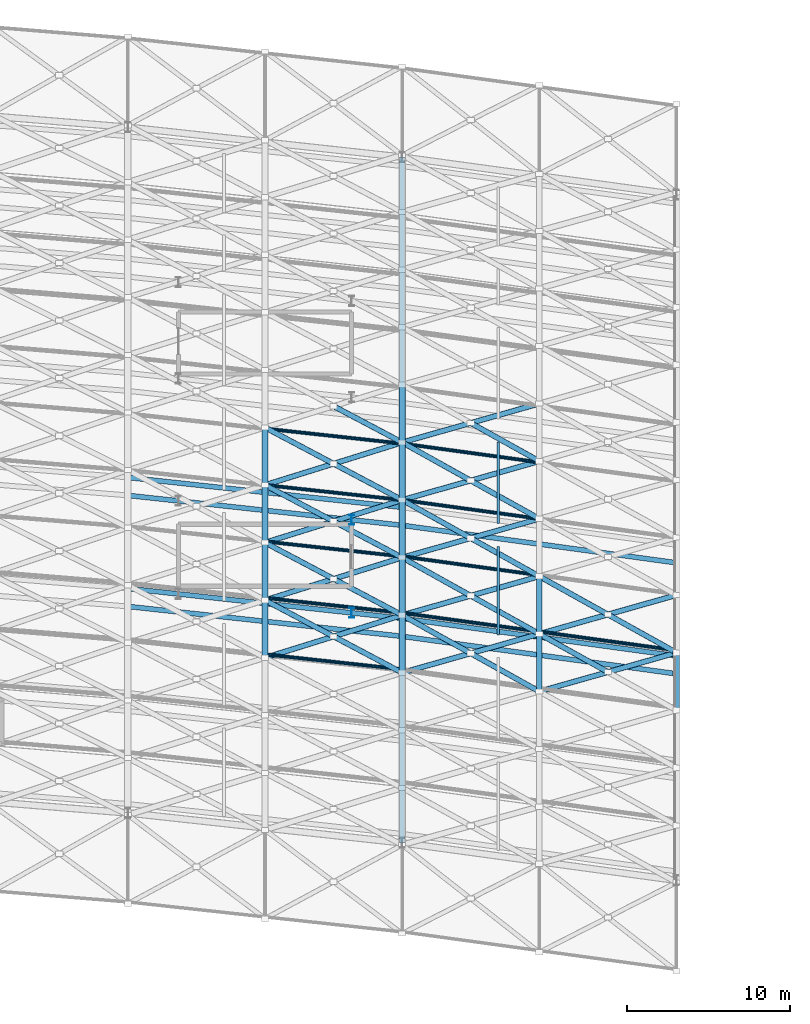
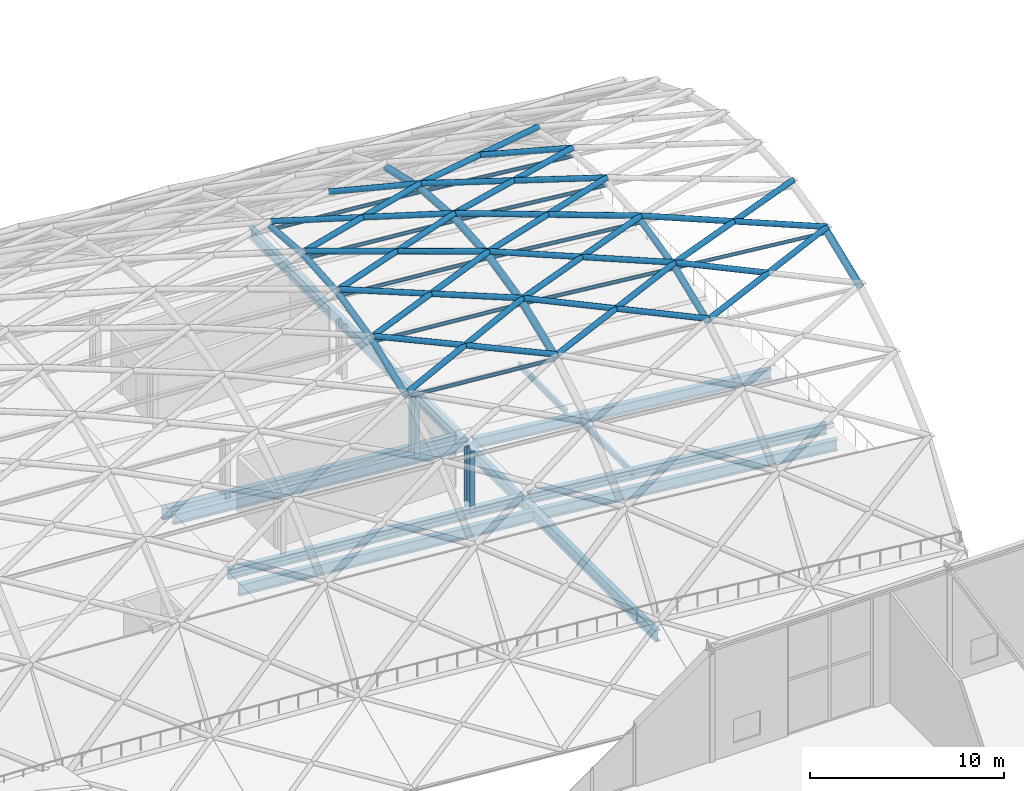
# One storey, part 54 of 100: 56 members, 10 beams.
"""IFC4 building model written with IfcOpenShell, lengths in metres."""

from ifc_helpers import new_model, si_unit, direction, frame, origin, origin_2d, place, context, subcontext, project, spatial, hollow_circle, i_section, extrude, material, material_profile, profile_set, type_object, element, save


model = new_model("IFC4")

# Units and contexts
model_context = context("Model", 3, precision=1e-05, world=origin(), true_north=direction((0.0, 1.0)))
body_context = subcontext(model_context, "Body", "Model", "MODEL_VIEW")
ifc_project = project(units=[si_unit("LENGTHUNIT", "METRE"), si_unit("AREAUNIT", "SQUARE_METRE"), si_unit("VOLUMEUNIT", "CUBIC_METRE"), si_unit("PLANEANGLEUNIT", "RADIAN"), si_unit("MASSUNIT", "GRAM", prefix="KILO")], contexts=[model_context])

# Site, building, storey
site_placement = place(None, origin())
site = spatial("IfcSite", under=ifc_project, at=site_placement, CompositionType="ELEMENT")
building_placement = place(site_placement, origin())
building = spatial("IfcBuilding", under=site, at=building_placement, Name="Kimbaza Rail Terminus", CompositionType="ELEMENT")
storey_placement = place(building_placement, frame((0.0, 0.0, 10.800048828125)))
storey = spatial("IfcBuildingStorey", under=building, at=storey_placement, Name="L02", CompositionType="ELEMENT", Elevation=10.800048828125)

# Beams
ifc_material_1 = material(Name="Steel S355", Category="steel")
ifc_material_profile_1 = material_profile(ifc_material_1, i_section(OverallWidth=0.300048828125, OverallDepth=0.64990234375, WebThickness=0.01611328125, FlangeThickness=0.031005859375, FilletRadius=0.027099609375, at=origin_2d()), Name="HEB 650")
ifc_profile_set_1 = profile_set([ifc_material_profile_1], Name="Steel S355")
beam_type_1 = type_object("IfcBeamType", Name="STR-BM-HEB650", PredefinedType="USERDEFINED", material=ifc_profile_set_1)
for number, where, z_axis, x_axis, name in (
    (1, (172.944091796875, 65.73974609375, -0.5849609375), (0.994106987183, -0.108403404165, 0.0), (0.108403404165, 0.994106987183, 0.0), "Viaduct Chorded Girder P2 Bay 10"),
    (2, (172.944091796875, 71.439697265625, -0.5849609375), (0.994108571086, -0.108388878093, 0.0), (0.108388878093, 0.994108571086, 0.0), "Viaduct Chorded Girder P2 Bay 10"),
):
    element("IfcBeam", number, at=place(storey_placement, frame(where, z_axis=z_axis, x_axis=x_axis)), inside=storey, type_object=beam_type_1, Name=name, ObjectType="GIRDER", PredefinedType="USERDEFINED", context=body_context, shape_type="SweptSolid", body=[
        extrude(i_section(OverallWidth=0.300048828125, OverallDepth=0.64990234375, WebThickness=0.01611328125, FlangeThickness=0.031005859375, FilletRadius=0.027099609375, at=origin_2d()), origin(), (0.0, 0.0, 1.0), 16.609619140625),
    ])
for number, where, z_axis, x_axis, name in (
    (3, (189.74365234375, 63.904052734375, -0.5849609375), (0.990777321611, -0.135500180745, 0.0), (0.135500180745, 0.990777321611, 0.0), "Viaduct Chorded Girder P2 Bay 11"),
    (4, (189.74365234375, 69.60400390625, -0.5849609375), (0.990777321611, -0.135500180745, 0.0), (0.135500180745, 0.990777321611, 0.0), "Viaduct Chorded Girder P2 Bay 11"),
):
    element("IfcBeam", number, at=place(storey_placement, frame(where, z_axis=z_axis, x_axis=x_axis)), inside=storey, type_object=beam_type_1, Name=name, ObjectType="GIRDER", PredefinedType="USERDEFINED", context=body_context, shape_type="SweptSolid", body=[
        extrude(i_section(OverallWidth=0.300048828125, OverallDepth=0.64990234375, WebThickness=0.01611328125, FlangeThickness=0.031005859375, FilletRadius=0.027099609375, at=origin_2d()), origin(), (0.0, 0.0, 1.0), 16.66650390625),
    ])
ifc_material_2 = material(Name="Steel S355", Category="steel")
ifc_material_profile_2 = material_profile(ifc_material_2, i_section(OverallWidth=0.300048828125, OverallDepth=0.699951171875, WebThickness=0.01708984375, FlangeThickness=0.031982421875, FilletRadius=0.027099609375, at=origin_2d()), Name="HEB 700")
ifc_profile_set_2 = profile_set([ifc_material_profile_2], Name="Steel S355")
beam_type_2 = type_object("IfcBeamType", Name="STR-BM-HEB700", PredefinedType="USERDEFINED", material=ifc_profile_set_2)
beam_1_placement = place(storey_placement, frame((189.60009765625, 50.173583984375, -0.920166015625), z_axis=(0.0, 1.0, 0.0), x_axis=(-1.0, 0.0, 0.0)))
element("IfcBeam", 5, at=beam_1_placement, inside=storey, type_object=beam_type_2, Name="Viaduct Pier Crosshead Girder VP-11", ObjectType="GIRDER", PredefinedType="USERDEFINED", context=body_context, shape_type="SweptSolid", body=[
    extrude(i_section(OverallWidth=0.300048828125, OverallDepth=0.699951171875, WebThickness=0.01708984375, FlangeThickness=0.031982421875, FilletRadius=0.027099609375, at=origin_2d()), origin(), (0.0, 0.0, 1.0), 42.0),
])
for number, where, z_axis, x_axis, name in (
    (6, (172.944091796875, 64.6396484375, -0.920166015625), (0.994108571086, -0.108388878093, 0.0), (0.108388878093, 0.994108571086, 0.0), "Viaduct Chorded Girder TR12 Bay 10"),
    (7, (172.944091796875, 72.539794921875, -0.920166015625), (0.994106987183, -0.108403404165, 0.0), (0.108403404165, 0.994106987183, 0.0), "Viaduct Chorded Girder TR34 Bay 10"),
):
    element("IfcBeam", number, at=place(storey_placement, frame(where, z_axis=z_axis, x_axis=x_axis)), inside=storey, type_object=beam_type_2, Name=name, ObjectType="GIRDER", PredefinedType="USERDEFINED", context=body_context, shape_type="SweptSolid", body=[
        extrude(i_section(OverallWidth=0.300048828125, OverallDepth=0.699951171875, WebThickness=0.01708984375, FlangeThickness=0.031982421875, FilletRadius=0.027099609375, at=origin_2d()), origin(), (0.0, 0.0, 1.0), 16.609619140625),
    ])
beam_2_placement = place(storey_placement, frame((189.74365234375, 62.803955078125, -0.920166015625), z_axis=(0.990777321611, -0.135500180745, 0.0), x_axis=(0.135500180745, 0.990777321611, 0.0)))
element("IfcBeam", 8, at=beam_2_placement, inside=storey, type_object=beam_type_2, Name="Viaduct Chorded Girder TR12 Bay 11", ObjectType="GIRDER", PredefinedType="USERDEFINED", context=body_context, shape_type="SweptSolid", body=[
    extrude(i_section(OverallWidth=0.300048828125, OverallDepth=0.699951171875, WebThickness=0.01708984375, FlangeThickness=0.031982421875, FilletRadius=0.027099609375, at=origin_2d()), origin(), (0.0, 0.0, 1.0), 16.66650390625),
])
ifc_material_3 = material(Name="Steel S355", Category="steel")
ifc_material_profile_3 = material_profile(ifc_material_3, i_section(OverallWidth=0.169921875, OverallDepth=0.360107421875, WebThickness=0.008056640625, FlangeThickness=0.0126953125, FilletRadius=0.01806640625, at=origin_2d()), Name="IPE 360")
ifc_profile_set_3 = profile_set([ifc_material_profile_3], Name="Steel S355")
beam_type_3 = type_object("IfcBeamType", Name="STR-BM-IPE360", PredefinedType="JOIST", material=ifc_profile_set_3)
beam_3_placement = place(storey_placement, frame((195.47998046875, 62.919921875, -0.43994140625), z_axis=(0.0, 1.0, 0.0), x_axis=(-1.0, 0.0, 0.0)))
element("IfcBeam", 9, at=beam_3_placement, inside=storey, type_object=beam_type_3, Name="Viaduct Diaphragm P2 Bay 11", PredefinedType="JOIST", context=body_context, shape_type="SweptSolid", body=[
    extrude(i_section(OverallWidth=0.169921875, OverallDepth=0.360107421875, WebThickness=0.008056640625, FlangeThickness=0.0126953125, FilletRadius=0.01806640625, at=origin_2d()), origin(), (0.0, 0.0, 1.0), 5.409912109375),
])
beam_4_placement = place(storey_placement, frame((195.47998046875, 69.7197265625, -0.75), z_axis=(0.0, 1.0, 0.0), x_axis=(-1.0, 0.0, 0.0)))
element("IfcBeam", 10, at=beam_4_placement, inside=storey, type_object=beam_type_3, Name="Viaduct Diaphragm TR34 Bay 11", PredefinedType="JOIST", context=body_context, shape_type="SweptSolid", body=[
    extrude(i_section(OverallWidth=0.169921875, OverallDepth=0.360107421875, WebThickness=0.008056640625, FlangeThickness=0.0126953125, FilletRadius=0.01806640625, at=origin_2d()), origin(), (0.0, 0.0, 1.0), 5.010009765625),
])

# Members
ifc_material_4 = material(Name="White painted steel S355", Category="steel")
ifc_material_profile_4 = material_profile(ifc_material_4, hollow_circle(Radius=0.109619140625, WallThickness=0.008056640625, at=origin_2d()), Name="CHS 219.1x8")
ifc_profile_set_4 = profile_set([ifc_material_profile_4], Name="White painted steel S355")
member_type_1 = type_object("IfcMemberType", Name="STR-MB-CHS219", PredefinedType="PURLIN", material=ifc_profile_set_4)
for number, where, z_axis, x_axis, name in (
    (11, (181.199951171875, 61.718505859375, 10.078857421875), (0.994106819652, -0.108404940487, 0.0), (0.108404940487, 0.994106819652, 0.0), "Vault lattice longitudinal purlin VR-19-VA04"),
    (12, (181.199951171875, 65.175537109375, 11.462158203125), (0.994106819652, -0.108404940487, 0.0), (0.108404940487, 0.994106819652, 0.0), "Vault lattice longitudinal purlin VR-19-VA05"),
    (13, (181.199951171875, 68.632568359375, 12.25244140625), (0.994106819652, -0.108404940487, 0.0), (0.108404940487, 0.994106819652, 0.0), "Vault lattice longitudinal purlin VR-19-VA06"),
    (14, (181.199951171875, 72.089599609375, 12.510009765625), (0.994106819652, -0.108404940487, 0.0), (0.108404940487, 0.994106819652, 0.0), "Vault lattice longitudinal purlin VR-19-VA07"),
    (15, (181.199951171875, 75.546630859375, 12.25244140625), (0.994106819652, -0.108404940487, 0.0), (0.108404940487, 0.994106819652, 0.0), "Vault lattice longitudinal purlin VR-19-VA08"),
):
    element("IfcMember", number, at=place(storey_placement, frame(where, z_axis=z_axis, x_axis=x_axis)), inside=storey, type_object=member_type_1, Name=name, PredefinedType="PURLIN", context=body_context, shape_type="SweptSolid", body=[
        extrude(hollow_circle(Radius=0.109619140625, WallThickness=0.008056640625, at=origin_2d()), origin(), (0.0, 0.0, 1.0), 8.449951171875),
    ])
for number, where, z_axis, x_axis, name in (
    (16, (189.60009765625, 64.259521484375, 11.462158203125), (0.990778928837, -0.135488428186, 0.0), (0.135488428186, 0.990778928837, 0.0), "Vault lattice longitudinal purlin VR-20-VA05"),
    (17, (189.60009765625, 67.716552734375, 12.25244140625), (0.990778928837, -0.135488428186, 0.0), (0.135488428186, 0.990778928837, 0.0), "Vault lattice longitudinal purlin VR-20-VA06"),
    (18, (189.60009765625, 71.173583984375, 12.510009765625), (0.990778928837, -0.135488428186, 0.0), (0.135488428186, 0.990778928837, 0.0), "Vault lattice longitudinal purlin VR-20-VA07"),
    (19, (189.60009765625, 74.630615234375, 12.25244140625), (0.990778928837, -0.135488428186, 0.0), (0.135488428186, 0.990778928837, 0.0), "Vault lattice longitudinal purlin VR-20-VA08"),
    (20, (198.0, 63.11083984375, 11.462158203125), (0.990775062808, -0.135516696087, 0.0), (0.135516696087, 0.990775062808, 0.0), "Vault lattice longitudinal purlin VR-21-VA05"),
):
    element("IfcMember", number, at=place(storey_placement, frame(where, z_axis=z_axis, x_axis=x_axis)), inside=storey, type_object=member_type_1, Name=name, PredefinedType="PURLIN", context=body_context, shape_type="SweptSolid", body=[
        extrude(hollow_circle(Radius=0.109619140625, WallThickness=0.008056640625, at=origin_2d()), origin(), (0.0, 0.0, 1.0), 8.47802734375),
    ])
ifc_material_5 = material(Name="White painted steel S355", Category="steel")
ifc_material_profile_5 = material_profile(ifc_material_5, hollow_circle(Radius=0.161865234375, WallThickness=0.010009765625, at=origin_2d()), Name="CHS 323.9x10")
ifc_profile_set_5 = profile_set([ifc_material_profile_5], Name="White painted steel S355")
member_type_2 = type_object("IfcMemberType", Name="STR-MB-CHS323", PredefinedType="STRUT", material=ifc_profile_set_5)
member_1_placement = place(storey_placement, frame((181.199951171875, 61.509521484375, 10.499755859375), z_axis=(0.942879348066, 0.293055243067, 0.158420830388), x_axis=(-0.296803370095, 0.954938615567, 0.0)))
element("IfcMember", 21, at=member_1_placement, inside=storey, type_object=member_type_2, Name="Vault lattice diagonal A VR-19-VA04", PredefinedType="STRUT", context=body_context, shape_type="SweptSolid", body=[
    extrude(hollow_circle(Radius=0.161865234375, WallThickness=0.010009765625, at=origin_2d()), origin(), (0.0, 0.0, 1.0), 8.908935546875),
])
member_2_placement = place(storey_placement, frame((189.60009765625, 60.593505859375, 10.499755859375), z_axis=(-0.874384671789, 0.462452111637, 0.146933625095), x_axis=(-0.467526478486, -0.883979067577, 0.0)))
element("IfcMember", 22, at=member_2_placement, inside=storey, type_object=member_type_2, Name="Vault lattice diagonal B1 VR-19-VA04", PredefinedType="STRUT", context=body_context, shape_type="SweptSolid", body=[
    extrude(hollow_circle(Radius=0.161865234375, WallThickness=0.010009765625, at=origin_2d()), origin(), (0.0, 0.0, 1.0), 4.8037109375),
])
member_3_placement = place(storey_placement, frame((185.39990234375, 62.81494140625, 11.20556640625), z_axis=(-0.874399786526, 0.462436159845, 0.14689387799), x_axis=(-0.467507561467, -0.883989072314, 0.0)))
element("IfcMember", 23, at=member_3_placement, inside=storey, type_object=member_type_2, Name="Vault lattice diagonal B2 VR-19-VA04", PredefinedType="STRUT", context=body_context, shape_type="SweptSolid", body=[
    extrude(hollow_circle(Radius=0.161865234375, WallThickness=0.010009765625, at=origin_2d()), origin(), (0.0, 0.0, 1.0), 4.80322265625),
])
member_4_placement = place(storey_placement, frame((181.199951171875, 65.0361328125, 11.9111328125), z_axis=(0.95095358423, 0.2955647871, 0.091261915748), x_axis=(-0.296803370095, 0.954938615567, 0.0)))
element("IfcMember", 24, at=member_4_placement, inside=storey, type_object=member_type_2, Name="Vault lattice diagonal A VR-19-VA05", PredefinedType="STRUT", context=body_context, shape_type="SweptSolid", body=[
    extrude(hollow_circle(Radius=0.161865234375, WallThickness=0.010009765625, at=origin_2d()), origin(), (0.0, 0.0, 1.0), 8.83349609375),
])
for number, where, z_axis, x_axis, name in (
    (25, (189.60009765625, 64.120361328125, 11.9111328125), (-0.880836378394, 0.465813146398, 0.084530391812), (-0.467486326026, -0.884000302589, 0.0), "Vault lattice diagonal B1 VR-19-VA05"),
    (26, (185.39990234375, 66.341552734375, 12.314208984375), (-0.880824902411, 0.465834154632, 0.084534204144), (-0.467507561467, -0.883989072314, 0.0), "Vault lattice diagonal B2 VR-19-VA05"),
):
    element("IfcMember", number, at=place(storey_placement, frame(where, z_axis=z_axis, x_axis=x_axis)), inside=storey, type_object=member_type_2, Name=name, PredefinedType="STRUT", context=body_context, shape_type="SweptSolid", body=[
        extrude(hollow_circle(Radius=0.161865234375, WallThickness=0.010009765625, at=origin_2d()), origin(), (0.0, 0.0, 1.0), 4.768310546875),
    ])
member_5_placement = place(storey_placement, frame((181.199951171875, 68.562744140625, 12.71728515625), z_axis=(0.954513078956, 0.296671109552, 0.029850207021), x_axis=(-0.296803370095, 0.954938615567, 0.0)))
element("IfcMember", 27, at=member_5_placement, inside=storey, type_object=member_type_2, Name="Vault lattice diagonal A VR-19-VA06", PredefinedType="STRUT", context=body_context, shape_type="SweptSolid", body=[
    extrude(hollow_circle(Radius=0.161865234375, WallThickness=0.010009765625, at=origin_2d()), origin(), (0.0, 0.0, 1.0), 8.800537109375),
])
for number, where, z_axis, x_axis, name in (
    (28, (189.60009765625, 67.64697265625, 12.71728515625), (-0.883662716846, 0.467307800387, 0.027633721324), (-0.467486326026, -0.884000302589, 0.0), "Vault lattice diagonal B1 VR-19-VA06"),
    (29, (185.39990234375, 69.8681640625, 12.8486328125), (-0.883630247857, 0.46736915801, 0.027634312233), (-0.467547714731, -0.883967835642, 0.0), "Vault lattice diagonal B2 VR-19-VA06"),
):
    element("IfcMember", number, at=place(storey_placement, frame(where, z_axis=z_axis, x_axis=x_axis)), inside=storey, type_object=member_type_2, Name=name, PredefinedType="STRUT", context=body_context, shape_type="SweptSolid", body=[
        extrude(hollow_circle(Radius=0.161865234375, WallThickness=0.010009765625, at=origin_2d()), origin(), (0.0, 0.0, 1.0), 4.753173828125),
    ])
member_6_placement = place(storey_placement, frame((181.199951171875, 72.089599609375, 12.97998046875), z_axis=(0.954520934518, 0.296645809074, -0.029850452685), x_axis=(-0.296778060516, 0.95494648164, 0.0)))
element("IfcMember", 30, at=member_6_placement, inside=storey, type_object=member_type_2, Name="Vault lattice diagonal A VR-19-VA07", PredefinedType="STRUT", context=body_context, shape_type="SweptSolid", body=[
    extrude(hollow_circle(Radius=0.161865234375, WallThickness=0.010009765625, at=origin_2d()), origin(), (0.0, 0.0, 1.0), 8.80029296875),
])
for number, where, z_axis, x_axis, name in (
    (31, (189.60009765625, 71.173583984375, 12.97998046875), (-0.883662716846, 0.467307800387, -0.027633721324), (-0.467486326026, -0.884000302589, 0.0), "Vault lattice diagonal B1 VR-19-VA07"),
    (32, (185.39990234375, 73.394775390625, 12.8486328125), (-0.883630247857, 0.46736915801, -0.027634312233), (-0.467547714731, -0.883967835642, 0.0), "Vault lattice diagonal B2 VR-19-VA07"),
):
    element("IfcMember", number, at=place(storey_placement, frame(where, z_axis=z_axis, x_axis=x_axis)), inside=storey, type_object=member_type_2, Name=name, PredefinedType="STRUT", context=body_context, shape_type="SweptSolid", body=[
        extrude(hollow_circle(Radius=0.161865234375, WallThickness=0.010009765625, at=origin_2d()), origin(), (0.0, 0.0, 1.0), 4.753173828125),
    ])
member_7_placement = place(storey_placement, frame((189.60009765625, 74.7001953125, 12.71728515625), z_axis=(-0.880815370568, 0.465853235108, -0.084528375774), x_axis=(-0.467526478486, -0.883979067577, 0.0)))
element("IfcMember", 33, at=member_7_placement, inside=storey, type_object=member_type_2, Name="Vault lattice diagonal B1 VR-19-VA08", PredefinedType="STRUT", context=body_context, shape_type="SweptSolid", body=[
    extrude(hollow_circle(Radius=0.161865234375, WallThickness=0.010009765625, at=origin_2d()), origin(), (0.0, 0.0, 1.0), 4.7685546875),
])
member_8_placement = place(storey_placement, frame((189.60009765625, 60.593505859375, 10.499755859375), z_axis=(0.949854908832, 0.268894576877, 0.159597489623), x_axis=(-0.272385973351, 0.962188069725, 0.0)))
element("IfcMember", 34, at=member_8_placement, inside=storey, type_object=member_type_2, Name="Vault lattice diagonal A VR-20-VA04", PredefinedType="STRUT", context=body_context, shape_type="SweptSolid", body=[
    extrude(hollow_circle(Radius=0.161865234375, WallThickness=0.010009765625, at=origin_2d()), origin(), (0.0, 0.0, 1.0), 8.84326171875),
])
member_9_placement = place(storey_placement, frame((198.0, 59.44482421875, 10.499755859375), z_axis=(-0.864503235917, 0.481172963082, 0.145281570368), x_axis=(-0.486332783542, -0.873773668436, 0.0)))
element("IfcMember", 35, at=member_9_placement, inside=storey, type_object=member_type_2, Name="Vault lattice diagonal B1 VR-20-VA04", PredefinedType="STRUT", context=body_context, shape_type="SweptSolid", body=[
    extrude(hollow_circle(Radius=0.161865234375, WallThickness=0.010009765625, at=origin_2d()), origin(), (0.0, 0.0, 1.0), 4.858154296875),
])
member_10_placement = place(storey_placement, frame((193.800048828125, 61.782470703125, 11.20556640625), z_axis=(-0.864488641662, 0.481215092284, 0.14522886557), x_axis=(-0.486371560754, -0.873752084341, 0.0)))
element("IfcMember", 36, at=member_10_placement, inside=storey, type_object=member_type_2, Name="Vault lattice diagonal B2 VR-20-VA04", PredefinedType="STRUT", context=body_context, shape_type="SweptSolid", body=[
    extrude(hollow_circle(Radius=0.161865234375, WallThickness=0.010009765625, at=origin_2d()), origin(), (0.0, 0.0, 1.0), 4.8583984375),
])
member_11_placement = place(storey_placement, frame((189.60009765625, 64.120361328125, 11.9111328125), z_axis=(0.958118979351, 0.271206206473, 0.091952242917), x_axis=(-0.272360082241, 0.962195398868, 0.0)))
element("IfcMember", 37, at=member_11_placement, inside=storey, type_object=member_type_2, Name="Vault lattice diagonal A VR-20-VA05", PredefinedType="STRUT", context=body_context, shape_type="SweptSolid", body=[
    extrude(hollow_circle(Radius=0.161865234375, WallThickness=0.010009765625, at=origin_2d()), origin(), (0.0, 0.0, 1.0), 8.76708984375),
])
member_12_placement = place(storey_placement, frame((198.0, 62.971435546875, 11.9111328125), z_axis=(-0.87071755489, 0.48463178446, 0.083564185498), x_axis=(-0.486332783542, -0.873773668436, 0.0)))
element("IfcMember", 38, at=member_12_placement, inside=storey, type_object=member_type_2, Name="Vault lattice diagonal B1 VR-20-VA05", PredefinedType="STRUT", context=body_context, shape_type="SweptSolid", body=[
    extrude(hollow_circle(Radius=0.161865234375, WallThickness=0.010009765625, at=origin_2d()), origin(), (0.0, 0.0, 1.0), 4.823486328125),
])
member_13_placement = place(storey_placement, frame((193.800048828125, 65.30908203125, 12.314208984375), z_axis=(-0.870696196475, 0.484670509647, 0.083562135696), x_axis=(-0.486371560754, -0.873752084341, 0.0)))
element("IfcMember", 39, at=member_13_placement, inside=storey, type_object=member_type_2, Name="Vault lattice diagonal B2 VR-20-VA05", PredefinedType="STRUT", context=body_context, shape_type="SweptSolid", body=[
    extrude(hollow_circle(Radius=0.161865234375, WallThickness=0.010009765625, at=origin_2d()), origin(), (0.0, 0.0, 1.0), 4.82373046875),
])
member_14_placement = place(storey_placement, frame((189.60009765625, 67.64697265625, 12.71728515625), z_axis=(0.961752747069, 0.272262737791, 0.030077485202), x_axis=(-0.272385973351, 0.962188069725, 0.0)))
element("IfcMember", 40, at=member_14_placement, inside=storey, type_object=member_type_2, Name="Vault lattice diagonal A VR-20-VA06", PredefinedType="STRUT", context=body_context, shape_type="SweptSolid", body=[
    extrude(hollow_circle(Radius=0.161865234375, WallThickness=0.010009765625, at=origin_2d()), origin(), (0.0, 0.0, 1.0), 8.73388671875),
])
for number, where, z_axis, x_axis, name in (
    (41, (198.0, 66.498046875, 12.71728515625), (-0.873426061726, 0.486190081212, 0.027315190444), (-0.486371560754, -0.873752084341, 0.0), "Vault lattice diagonal B1 VR-20-VA06"),
    (42, (193.800048828125, 68.8359375, 12.8486328125), (-0.873447621669, 0.486151309509, 0.027315864701), (-0.486332783542, -0.873773668436, 0.0), "Vault lattice diagonal B2 VR-20-VA06"),
):
    element("IfcMember", number, at=place(storey_placement, frame(where, z_axis=z_axis, x_axis=x_axis)), inside=storey, type_object=member_type_2, Name=name, PredefinedType="STRUT", context=body_context, shape_type="SweptSolid", body=[
        extrude(hollow_circle(Radius=0.161865234375, WallThickness=0.010009765625, at=origin_2d()), origin(), (0.0, 0.0, 1.0), 4.80859375),
    ])
member_15_placement = place(storey_placement, frame((189.60009765625, 71.173583984375, 12.97998046875), z_axis=(0.961752747069, 0.272262737791, -0.030077485202), x_axis=(-0.272385973351, 0.962188069725, 0.0)))
element("IfcMember", 43, at=member_15_placement, inside=storey, type_object=member_type_2, Name="Vault lattice diagonal A VR-20-VA07", PredefinedType="STRUT", context=body_context, shape_type="SweptSolid", body=[
    extrude(hollow_circle(Radius=0.161865234375, WallThickness=0.010009765625, at=origin_2d()), origin(), (0.0, 0.0, 1.0), 8.73388671875),
])
for number, where, z_axis, x_axis, name in (
    (44, (198.0, 70.02490234375, 12.97998046875), (-0.873447621669, 0.486151309509, -0.027315864701), (-0.486332783542, -0.873773668436, 0.0), "Vault lattice diagonal B1 VR-20-VA07"),
    (45, (193.800048828125, 72.362548828125, 12.8486328125), (-0.873447621669, 0.486151309509, -0.027315864701), (-0.486332783542, -0.873773668436, 0.0), "Vault lattice diagonal B2 VR-20-VA07"),
):
    element("IfcMember", number, at=place(storey_placement, frame(where, z_axis=z_axis, x_axis=x_axis)), inside=storey, type_object=member_type_2, Name=name, PredefinedType="STRUT", context=body_context, shape_type="SweptSolid", body=[
        extrude(hollow_circle(Radius=0.161865234375, WallThickness=0.010009765625, at=origin_2d()), origin(), (0.0, 0.0, 1.0), 4.80859375),
    ])
member_16_placement = place(storey_placement, frame((189.60009765625, 74.7001953125, 12.71728515625), z_axis=(0.958111742966, 0.271232005362, -0.09195154843), x_axis=(-0.272385973351, 0.962188069725, 0.0)))
element("IfcMember", 46, at=member_16_placement, inside=storey, type_object=member_type_2, Name="Vault lattice diagonal A VR-20-VA08", PredefinedType="STRUT", context=body_context, shape_type="SweptSolid", body=[
    extrude(hollow_circle(Radius=0.161865234375, WallThickness=0.010009765625, at=origin_2d()), origin(), (0.0, 0.0, 1.0), 8.76708984375),
])
member_17_placement = place(storey_placement, frame((198.0, 73.551513671875, 12.71728515625), z_axis=(-0.87071755489, 0.48463178446, -0.083564185498), x_axis=(-0.486332783542, -0.873773668436, 0.0)))
element("IfcMember", 47, at=member_17_placement, inside=storey, type_object=member_type_2, Name="Vault lattice diagonal B1 VR-20-VA08", PredefinedType="STRUT", context=body_context, shape_type="SweptSolid", body=[
    extrude(hollow_circle(Radius=0.161865234375, WallThickness=0.010009765625, at=origin_2d()), origin(), (0.0, 0.0, 1.0), 4.823486328125),
])
member_18_placement = place(storey_placement, frame((198.0, 59.44482421875, 10.499755859375), z_axis=(0.949854908832, 0.268894576877, 0.159597489623), x_axis=(-0.272385973351, 0.962188069725, 0.0)))
element("IfcMember", 48, at=member_18_placement, inside=storey, type_object=member_type_2, Name="Vault lattice diagonal A VR-21-VA04", PredefinedType="STRUT", context=body_context, shape_type="SweptSolid", body=[
    extrude(hollow_circle(Radius=0.161865234375, WallThickness=0.010009765625, at=origin_2d()), origin(), (0.0, 0.0, 1.0), 8.84326171875),
])
member_19_placement = place(storey_placement, frame((202.199951171875, 60.6337890625, 11.20556640625), z_axis=(-0.864509546496, 0.481176475481, 0.145232377456), x_axis=(-0.486332783542, -0.873773668436, 0.0)))
element("IfcMember", 49, at=member_19_placement, inside=storey, type_object=member_type_2, Name="Vault lattice diagonal B2 VR-21-VA04", PredefinedType="STRUT", context=body_context, shape_type="SweptSolid", body=[
    extrude(hollow_circle(Radius=0.161865234375, WallThickness=0.010009765625, at=origin_2d()), origin(), (0.0, 0.0, 1.0), 4.858154296875),
])
member_20_placement = place(storey_placement, frame((198.0, 62.971435546875, 11.9111328125), z_axis=(0.958111742966, 0.271232005362, 0.09195154843), x_axis=(-0.272385973351, 0.962188069725, 0.0)))
element("IfcMember", 50, at=member_20_placement, inside=storey, type_object=member_type_2, Name="Vault lattice diagonal A VR-21-VA05", PredefinedType="STRUT", context=body_context, shape_type="SweptSolid", body=[
    extrude(hollow_circle(Radius=0.161865234375, WallThickness=0.010009765625, at=origin_2d()), origin(), (0.0, 0.0, 1.0), 8.76708984375),
])
for number, where, z_axis, x_axis, name in (
    (51, (206.39990234375, 61.82275390625, 11.9111328125), (-0.87071755489, 0.48463178446, 0.083564185498), (-0.486332783542, -0.873773668436, 0.0), "Vault lattice diagonal B1 VR-21-VA05"),
    (52, (202.199951171875, 64.160400390625, 12.314208984375), (-0.87071755489, 0.48463178446, 0.083564185498), (-0.486332783542, -0.873773668436, 0.0), "Vault lattice diagonal B2 VR-21-VA05"),
):
    element("IfcMember", number, at=place(storey_placement, frame(where, z_axis=z_axis, x_axis=x_axis)), inside=storey, type_object=member_type_2, Name=name, PredefinedType="STRUT", context=body_context, shape_type="SweptSolid", body=[
        extrude(hollow_circle(Radius=0.161865234375, WallThickness=0.010009765625, at=origin_2d()), origin(), (0.0, 0.0, 1.0), 4.823486328125),
    ])
ifc_material_6 = material(Name="White painted steel S355", Category="steel")
ifc_material_profile_6 = material_profile(ifc_material_6, hollow_circle(Radius=0.177734375, WallThickness=0.012451171875, at=origin_2d()), Name="CHS 355.6x12.5")
ifc_profile_set_6 = profile_set([ifc_material_profile_6], Name="White painted steel S355")
member_type_3 = type_object("IfcMemberType", Name="STR-MB-CHS355", PredefinedType="CHORD", material=ifc_profile_set_6)
member_21_placement = place(storey_placement, frame((181.199951171875, 61.642822265625, 10.23095703125), z_axis=(0.0, 0.928413829694, 0.37154779078), x_axis=(-1.0, 0.0, 0.0)))
element("IfcMember", 53, at=member_21_placement, inside=storey, type_object=member_type_3, Name="Vault lattice arch chord VR-19 seg 5", PredefinedType="CHORD", context=body_context, shape_type="SweptSolid", body=[
    extrude(hollow_circle(Radius=0.177734375, WallThickness=0.012451171875, at=origin_2d()), origin(), (0.0, 0.0, 1.0), 3.750732421875),
])
member_22_placement = place(storey_placement, frame((181.199951171875, 65.125, 11.62451171875), z_axis=(0.0, 0.974845354939, 0.22288233208), x_axis=(-1.0, 0.0, 0.0)))
element("IfcMember", 54, at=member_22_placement, inside=storey, type_object=member_type_3, Name="Vault lattice arch chord VR-19 seg 6", PredefinedType="CHORD", context=body_context, shape_type="SweptSolid", body=[
    extrude(hollow_circle(Radius=0.177734375, WallThickness=0.012451171875, at=origin_2d()), origin(), (0.0, 0.0, 1.0), 3.572021484375),
])
member_23_placement = place(storey_placement, frame((181.199951171875, 68.607177734375, 12.420654296875), z_axis=(0.0, 0.997239832813, 0.074247665623), x_axis=(-1.0, 0.0, 0.0)))
element("IfcMember", 55, at=member_23_placement, inside=storey, type_object=member_type_3, Name="Vault lattice arch chord VR-19 seg 7", PredefinedType="CHORD", context=body_context, shape_type="SweptSolid", body=[
    extrude(hollow_circle(Radius=0.177734375, WallThickness=0.012451171875, at=origin_2d()), origin(), (0.0, 0.0, 1.0), 3.491943359375),
])
member_24_placement = place(storey_placement, frame((181.199951171875, 72.089599609375, 12.679931640625), z_axis=(0.0, 0.997239447362, -0.074252842537), x_axis=(-1.0, 0.0, 0.0)))
element("IfcMember", 56, at=member_24_placement, inside=storey, type_object=member_type_3, Name="Vault lattice arch chord VR-19 seg 8", PredefinedType="CHORD", context=body_context, shape_type="SweptSolid", body=[
    extrude(hollow_circle(Radius=0.177734375, WallThickness=0.012451171875, at=origin_2d()), origin(), (0.0, 0.0, 1.0), 3.49169921875),
])
member_25_placement = place(storey_placement, frame((198.0, 59.578125, 10.23095703125), z_axis=(0.0, 0.928413829694, 0.37154779078), x_axis=(-1.0, 0.0, 0.0)))
element("IfcMember", 57, at=member_25_placement, inside=storey, type_object=member_type_3, Name="Vault lattice arch chord VR-21 seg 5", PredefinedType="CHORD", context=body_context, shape_type="SweptSolid", body=[
    extrude(hollow_circle(Radius=0.177734375, WallThickness=0.012451171875, at=origin_2d()), origin(), (0.0, 0.0, 1.0), 3.750732421875),
])
member_26_placement = place(storey_placement, frame((198.0, 63.060302734375, 11.62451171875), z_axis=(0.0, 0.974845354939, 0.22288233208), x_axis=(-1.0, 0.0, 0.0)))
element("IfcMember", 58, at=member_26_placement, inside=storey, type_object=member_type_3, Name="Vault lattice arch chord VR-21 seg 6", PredefinedType="CHORD", context=body_context, shape_type="SweptSolid", body=[
    extrude(hollow_circle(Radius=0.177734375, WallThickness=0.012451171875, at=origin_2d()), origin(), (0.0, 0.0, 1.0), 3.572021484375),
])
ifc_material_7 = material(Name="White painted steel S355", Category="steel")
ifc_material_profile_7 = material_profile(ifc_material_7, hollow_circle(Radius=0.203125, WallThickness=0.01416015625, at=origin_2d()), Name="CHS 406.4x14.2")
ifc_profile_set_7 = profile_set([ifc_material_profile_7], Name="White painted steel S355")
member_type_4 = type_object("IfcMemberType", Name="STR-MB-CHS406", PredefinedType="CHORD", material=ifc_profile_set_7)
member_27_placement = place(storey_placement, frame((189.60009765625, 60.726806640625, 10.23095703125), z_axis=(0.0, 0.928422814748, 0.371525338375), x_axis=(-1.0, 0.0, 0.0)))
element("IfcMember", 59, at=member_27_placement, inside=storey, type_object=member_type_4, Name="Vault lattice arch chord VR-20 seg 5", PredefinedType="CHORD", context=body_context, shape_type="SweptSolid", body=[
    extrude(hollow_circle(Radius=0.203125, WallThickness=0.01416015625, at=origin_2d()), origin(), (0.0, 0.0, 1.0), 3.7509765625),
])
member_28_placement = place(storey_placement, frame((189.60009765625, 64.209228515625, 11.62451171875), z_axis=(0.0, 0.974845354939, 0.22288233208), x_axis=(-1.0, 0.0, 0.0)))
element("IfcMember", 60, at=member_28_placement, inside=storey, type_object=member_type_4, Name="Vault lattice arch chord VR-20 seg 6", PredefinedType="CHORD", context=body_context, shape_type="SweptSolid", body=[
    extrude(hollow_circle(Radius=0.203125, WallThickness=0.01416015625, at=origin_2d()), origin(), (0.0, 0.0, 1.0), 3.572021484375),
])
for number, where, z_axis, x_axis, name in (
    (61, (189.60009765625, 67.69140625, 12.420654296875), (0.0, 0.997239447362, 0.074252842537), (-1.0, 0.0, 0.0), "Vault lattice arch chord VR-20 seg 7"),
    (62, (189.60009765625, 71.173583984375, 12.679931640625), (0.0, 0.997239447362, -0.074252842537), (-1.0, 0.0, 0.0), "Vault lattice arch chord VR-20 seg 8"),
):
    element("IfcMember", number, at=place(storey_placement, frame(where, z_axis=z_axis, x_axis=x_axis)), inside=storey, type_object=member_type_4, Name=name, PredefinedType="CHORD", context=body_context, shape_type="SweptSolid", body=[
        extrude(hollow_circle(Radius=0.203125, WallThickness=0.01416015625, at=origin_2d()), origin(), (0.0, 0.0, 1.0), 3.49169921875),
    ])
member_29_placement = place(storey_placement, frame((189.60009765625, 74.65576171875, 12.420654296875), z_axis=(0.0, 0.974845354939, -0.22288233208), x_axis=(-1.0, 0.0, 0.0)))
element("IfcMember", 63, at=member_29_placement, inside=storey, type_object=member_type_4, Name="Vault lattice arch chord VR-20 seg 9", PredefinedType="CHORD", context=body_context, shape_type="SweptSolid", body=[
    extrude(hollow_circle(Radius=0.203125, WallThickness=0.01416015625, at=origin_2d()), origin(), (0.0, 0.0, 1.0), 3.572021484375),
])
member_30_placement = place(storey_placement, frame((206.39990234375, 58.429443359375, 10.23095703125), z_axis=(0.0, 0.928413829694, 0.37154779078), x_axis=(-1.0, 0.0, 0.0)))
element("IfcMember", 64, at=member_30_placement, inside=storey, type_object=member_type_4, Name="Vault lattice arch chord VR-22 seg 5", PredefinedType="CHORD", context=body_context, shape_type="SweptSolid", body=[
    extrude(hollow_circle(Radius=0.203125, WallThickness=0.01416015625, at=origin_2d()), origin(), (0.0, 0.0, 1.0), 3.750732421875),
])
ifc_material_8 = material(Name="Steel S355", Category="steel")
ifc_material_profile_8 = material_profile(ifc_material_8, i_section(OverallWidth=0.304931640625, OverallDepth=0.6201171875, WebThickness=0.02099609375, FlangeThickness=0.0400390625, FilletRadius=0.027099609375, at=origin_2d()), Name="HEM 600")
ifc_profile_set_8 = profile_set([ifc_material_profile_8], Name="Steel S355")
member_type_5 = type_object("IfcMemberType", Name="STR-MB-HEM600", PredefinedType="POST", material=ifc_profile_set_8)
for number, where, z_axis, x_axis, name in (
    (65, (186.5, 64.26171875, -0.449951171875), (0.0, 0.0, 1.0), (1.0, 0.0, 0.0), "Island Platform 2-3 Air-Conditioned Waiting Lounge 10 Corner Post 2"),
    (66, (186.5, 69.961669921875, -0.449951171875), (0.0, 0.0, 1.0), (1.0, 0.0, 0.0), "Island Platform 2-3 Air-Conditioned Waiting Lounge 10 Corner Post 3"),
):
    element("IfcMember", number, at=place(storey_placement, frame(where, z_axis=z_axis, x_axis=x_axis)), inside=storey, type_object=member_type_5, Name=name, PredefinedType="POST", context=body_context, shape_type="SweptSolid", body=[
        extrude(i_section(OverallWidth=0.304931640625, OverallDepth=0.6201171875, WebThickness=0.02099609375, FlangeThickness=0.0400390625, FilletRadius=0.027099609375, at=origin_2d()), origin(), (0.0, 0.0, 1.0), 3.869873046875),
    ])

save(model, "model.ifc")
